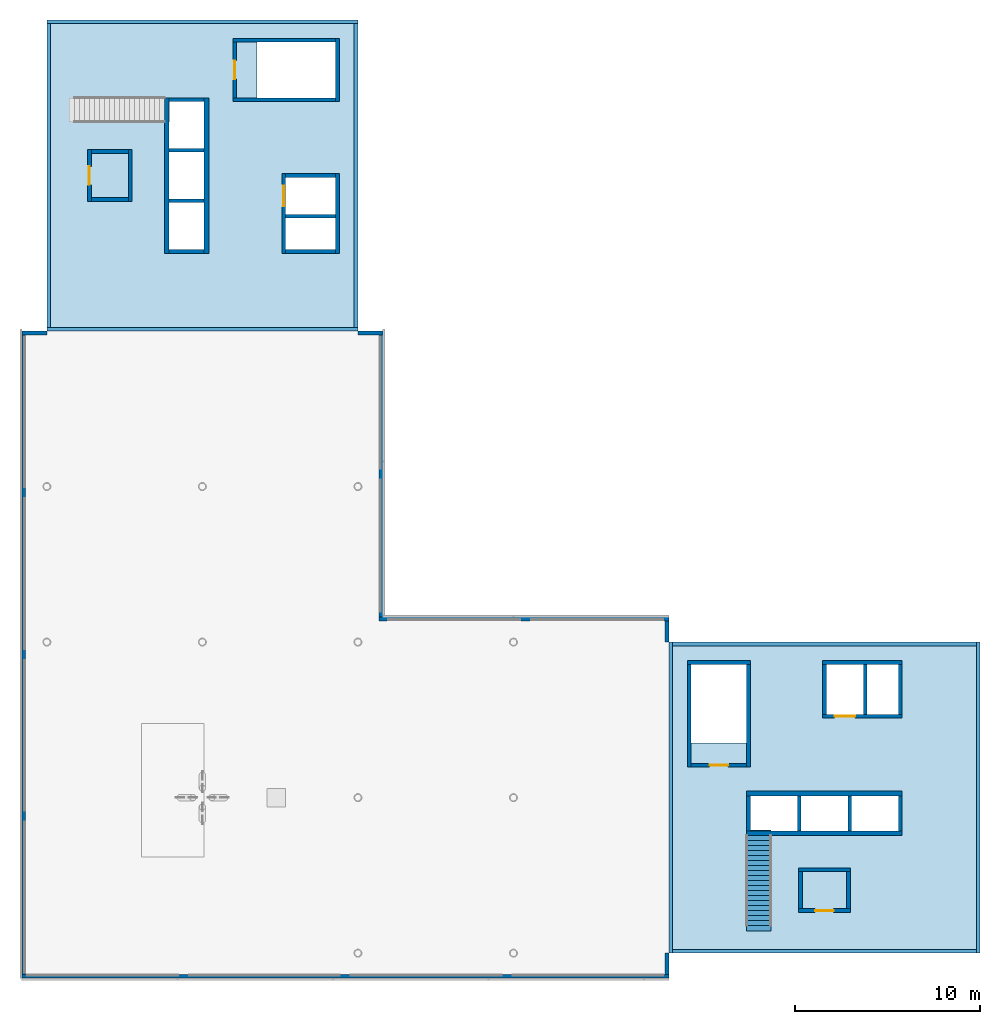
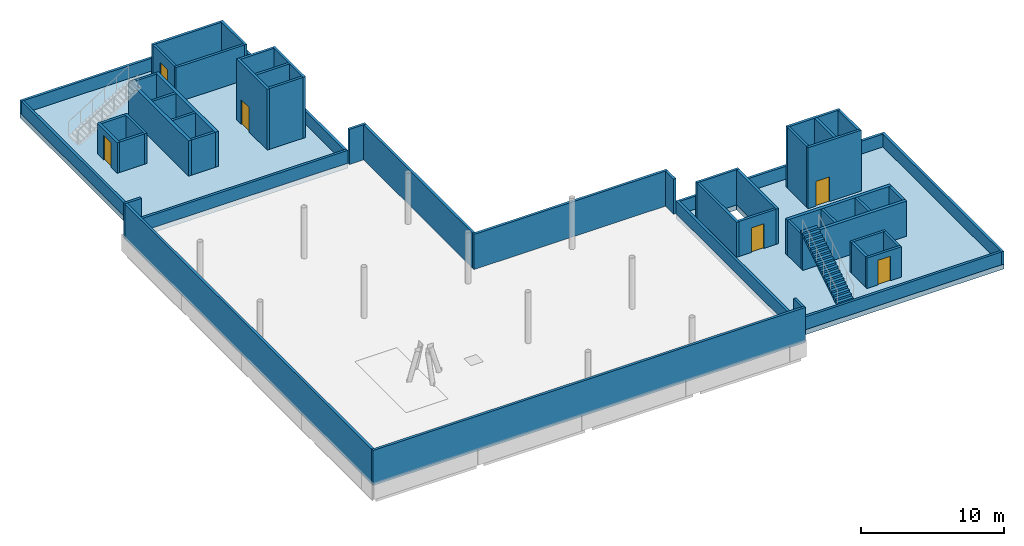
# One storey, part 2 of 4: 54 walls, 6 doors, 2 slabs, 1 stair flight, 6 openings, 1 element without a shape of its own.
"""IFC4 building model written with IfcOpenShell, lengths in metres."""

from ifc_helpers import new_model, si_unit, direction, frame, frame_2d, origin, place, context, subcontext, project, spatial, polyline, rectangle, outline, extrude, material, layer, layer_set, type_object, element, fill, aggregate, save


model = new_model("IFC4")

# Units and contexts
model_context = context("Model", 3, precision=1e-05, world=origin(), true_north=direction((0.0, 1.0)))
body_context = subcontext(model_context, "Body", "Model", "MODEL_VIEW")
ifc_project = project(units=[si_unit("LENGTHUNIT", "METRE"), si_unit("AREAUNIT", "SQUARE_METRE"), si_unit("VOLUMEUNIT", "CUBIC_METRE"), si_unit("PLANEANGLEUNIT", "RADIAN"), si_unit("MASSUNIT", "GRAM", prefix="KILO")], contexts=[model_context])

# Site, building, storey
site_placement = place(None, origin())
site = spatial("IfcSite", under=ifc_project, at=site_placement, CompositionType="ELEMENT")
building_placement = place(site_placement, origin())
building = spatial("IfcBuilding", under=site, at=building_placement, Name="Vermilion Gate Residences", CompositionType="ELEMENT")
storey_placement = place(building_placement, frame((0.0, 0.0, 284.199951171875)))
storey = spatial("IfcBuildingStorey", under=building, at=storey_placement, Name="ROOF", CompositionType="ELEMENT", Elevation=284.199951171875)

# Slabs
ifc_material_1 = material(Name="Concrete C50", Category="concrete")
ifc_layer_1 = layer(ifc_material_1, 0.419921875)
ifc_layer_set_1 = layer_set([ifc_layer_1], Name="RC UPPER ROOF SLAB 420 C50")
slab_type = type_object("IfcSlabType", Name="RC UPPER ROOF SLAB 420 C50", PredefinedType="ROOF", material=ifc_layer_set_1)
slab_1_placement = place(storey_placement, frame((0.0, 0.0, -0.419921875)))
element("IfcSlab", 1, at=slab_1_placement, inside=storey, type_object=slab_type, Name="Core roof slab A", PredefinedType="ROOF", context=body_context, shape_type="SweptSolid", body=[
    extrude(outline(polyline([(42.0, 8.39990234375), (58.800048828125, 8.39990234375), (58.800048828125, 25.199951171875), (42.0, 25.199951171875), (42.0, 8.39990234375)]), holes=[polyline([(46.39990234375, 15.0), (46.39990234375, 16.89990234375), (48.933349609375, 16.89990234375), (48.933349609375, 15.0), (46.39990234375, 15.0)]), polyline([(49.13330078125, 16.89990234375), (51.666748046875, 16.89990234375), (51.666748046875, 15.0), (49.13330078125, 15.0), (49.13330078125, 16.89990234375)]), polyline([(51.86669921875, 16.89990234375), (54.39990234375, 16.89990234375), (54.39990234375, 15.0), (51.86669921875, 15.0), (51.86669921875, 16.89990234375)]), polyline([(43.199951171875, 19.75), (43.199951171875, 24.0), (46.199951171875, 24.0), (46.199951171875, 19.75), (43.199951171875, 19.75)]), polyline([(50.5, 24.0), (52.5, 24.0), (52.5, 21.300048828125), (50.5, 21.300048828125), (50.5, 24.0)]), polyline([(52.699951171875, 24.0), (54.39990234375, 24.0), (54.39990234375, 21.300048828125), (52.699951171875, 21.300048828125), (52.699951171875, 24.0)])]), origin(), (0.0, 0.0, 1.0), 0.419921875),
])
slab_2_placement = place(storey_placement, frame((0.0, 0.0, -0.419921875)))
element("IfcSlab", 2, at=slab_2_placement, inside=storey, type_object=slab_type, Name="Core roof slab B", PredefinedType="ROOF", context=body_context, shape_type="SweptSolid", body=[
    extrude(outline(polyline([(8.39990234375, 42.0), (25.199951171875, 42.0), (25.199951171875, 58.800048828125), (8.39990234375, 58.800048828125), (8.39990234375, 42.0)]), holes=[polyline([(21.300048828125, 46.39990234375), (21.300048828125, 48.10009765625), (24.0, 48.10009765625), (24.0, 46.39990234375), (21.300048828125, 46.39990234375)]), polyline([(15.0, 48.933349609375), (16.89990234375, 48.933349609375), (16.89990234375, 46.39990234375), (15.0, 46.39990234375), (15.0, 48.933349609375)]), polyline([(21.300048828125, 50.300048828125), (24.0, 50.300048828125), (24.0, 48.300048828125), (21.300048828125, 48.300048828125), (21.300048828125, 50.300048828125)]), polyline([(15.0, 49.13330078125), (15.0, 51.666748046875), (16.89990234375, 51.666748046875), (16.89990234375, 49.13330078125), (15.0, 49.13330078125)]), polyline([(15.0, 54.39990234375), (16.89990234375, 54.39990234375), (16.89990234375, 51.86669921875), (15.0, 51.86669921875), (15.0, 54.39990234375)]), polyline([(19.75, 57.60009765625), (24.0, 57.60009765625), (24.0, 54.60009765625), (19.75, 54.60009765625), (19.75, 57.60009765625)])]), origin(), (0.0, 0.0, 1.0), 0.419921875),
])

# Walls
ifc_material_2 = material(Name="Concrete C60 red-oxide pigmented", Category="concrete")
ifc_layer_2 = layer(ifc_material_2, 0.199951171875)
ifc_layer_set_2 = layer_set([ifc_layer_2], Name="RC CORE INTERNAL WALL 200 C60 RED OXIDE")
wall_type_1 = type_object("IfcWallType", Name="RC CORE INTERNAL WALL 200 C60 RED OXIDE", PredefinedType="SHEAR", material=ifc_layer_set_2)
for number, where, z_axis, x_axis, name in (
    (3, (46.300048828125, 15.0, 0.0), (0.0, 0.0, 1.0), (0.0, 1.0, 0.0), "Lift overrun wall A-HR-DW"),
    (4, (49.033447265625, 15.0, 0.0), (0.0, 0.0, 1.0), (0.0, 1.0, 0.0), "Lift overrun wall A-HR-D1"),
    (5, (51.7666015625, 15.0, 0.0), (0.0, 0.0, 1.0), (0.0, 1.0, 0.0), "Lift overrun wall A-HR-D2"),
    (6, (54.5, 15.0, 0.0), (0.0, 0.0, 1.0), (0.0, 1.0, 0.0), "Lift overrun wall A-HR-DE"),
):
    element("IfcWall", number, at=place(storey_placement, frame(where, z_axis=z_axis, x_axis=x_axis)), inside=storey, type_object=wall_type_1, Name=name, PredefinedType="SHEAR", context=body_context, shape_type="SweptSolid", body=[
        extrude(rectangle(XDim=1.89990234375, YDim=0.199951171875, at=frame_2d((0.949951171875, 0.0))), origin(), (0.0, 0.0, 1.0), 3.0),
    ])

# Wall, opening, door
wall_1_placement = place(storey_placement, frame((50.300048828125, 21.199951171875, 0.0), z_axis=(0.0, 0.0, 1.0), x_axis=(1.0, 0.0, 0.0)))
wall_1 = element("IfcWall", 7, at=wall_1_placement, inside=storey, type_object=wall_type_1, Name="Lift overrun wall A-FF-F", PredefinedType="SHEAR", context=body_context, shape_type="SweptSolid", body=[
    extrude(rectangle(XDim=4.300048828125, YDim=0.199951171875, at=frame_2d((2.14990234375, 0.0))), origin(), (0.0, 0.0, 1.0), 5.199951171875),
])
opening_1_placement = place(wall_1_placement, frame((0.64990234375, 0.0, 0.0)))
opening_1 = element("IfcOpeningElement", 8, at=opening_1_placement, cuts=wall_1, Name="Opening LD", PredefinedType="OPENING", context=body_context, shape_type="SweptSolid", body=[
    extrude(rectangle(XDim=1.10009765625, YDim=2.10009765625, at=frame_2d((0.550048828125, 1.050048828125))), frame((0.0, 0.10986328125, 0.0), z_axis=(0.0, -1.0, 0.0), x_axis=(1.0, 0.0, 0.0)), (0.0, 0.0, 1.0), 0.219970703125),
])
ifc_material_3 = material(Name="Stainless steel", Category="steel")
door_type_1 = type_object("IfcDoorType", Name="LIFT LANDING DOOR E60 1100 X 2100", OperationType="DOUBLE_DOOR_SLIDING", PredefinedType="DOOR", material=ifc_material_3)
door_1_placement = place(opening_1_placement, origin())
door_1 = element("IfcDoor", 9, at=door_1_placement, inside=storey, type_object=door_type_1, Name="Lift landing door LFA1", OperationType="DOUBLE_DOOR_SLIDING", OverallHeight=2.10009765625, OverallWidth=1.10009765625, PredefinedType="DOOR", context=body_context, shape_type="SweptSolid", body=[
    extrude(rectangle(XDim=1.10009765625, YDim=2.10009765625, at=frame_2d((0.550048828125, 1.050048828125))), frame((0.0, 0.02490234375, 0.0), z_axis=(0.0, -1.0, 0.0), x_axis=(1.0, 0.0, 0.0)), (0.0, 0.0, 1.0), 0.050048828125),
])
fill(opening_1, door_1)

# Walls
wall_2_placement = place(storey_placement, frame((50.300048828125, 24.10009765625, 0.0), z_axis=(0.0, 0.0, 1.0), x_axis=(1.0, 0.0, 0.0)))
element("IfcWall", 10, at=wall_2_placement, inside=storey, type_object=wall_type_1, Name="Lift overrun wall A-FF-B", PredefinedType="SHEAR", context=body_context, shape_type="SweptSolid", body=[
    extrude(rectangle(XDim=4.300048828125, YDim=0.199951171875, at=frame_2d((2.14990234375, 0.0))), origin(), (0.0, 0.0, 1.0), 5.199951171875),
])
for number, where, z_axis, x_axis, name in (
    (11, (50.39990234375, 21.300048828125, 0.0), (0.0, 0.0, 1.0), (0.0, 1.0, 0.0), "Lift overrun wall A-FF-D0"),
    (12, (52.60009765625, 21.300048828125, 0.0), (0.0, 0.0, 1.0), (0.0, 1.0, 0.0), "Lift overrun wall A-FF-D1"),
    (13, (54.5, 21.300048828125, 0.0), (0.0, 0.0, 1.0), (0.0, 1.0, 0.0), "Lift overrun wall A-FF-DE"),
):
    element("IfcWall", number, at=place(storey_placement, frame(where, z_axis=z_axis, x_axis=x_axis)), inside=storey, type_object=wall_type_1, Name=name, PredefinedType="SHEAR", context=body_context, shape_type="SweptSolid", body=[
        extrude(rectangle(XDim=2.699951171875, YDim=0.199951171875, at=frame_2d((1.35009765625, 0.0))), origin(), (0.0, 0.0, 1.0), 5.199951171875),
    ])
wall_3_placement = place(storey_placement, frame((43.10009765625, 18.449951171875, 0.0), z_axis=(0.0, 0.0, 1.0), x_axis=(0.0, 1.0, 0.0)))
element("IfcWall", 14, at=wall_3_placement, inside=storey, type_object=wall_type_1, Name="Lift overrun wall A-HH-W", PredefinedType="SHEAR", context=body_context, shape_type="SweptSolid", body=[
    extrude(rectangle(XDim=5.550048828125, YDim=0.199951171875, at=frame_2d((2.77490234375, 0.0))), origin(), (0.0, 0.0, 1.0), 3.0),
])
wall_4_placement = place(storey_placement, frame((43.0, 24.10009765625, 0.0), z_axis=(0.0, 0.0, 1.0), x_axis=(1.0, 0.0, 0.0)))
element("IfcWall", 15, at=wall_4_placement, inside=storey, type_object=wall_type_1, Name="Lift overrun wall A-HH-N", PredefinedType="SHEAR", context=body_context, shape_type="SweptSolid", body=[
    extrude(rectangle(XDim=3.39990234375, YDim=0.199951171875, at=frame_2d((1.699951171875, 0.0))), origin(), (0.0, 0.0, 1.0), 3.0),
])
wall_5_placement = place(storey_placement, frame((46.300048828125, 18.449951171875, 0.0), z_axis=(0.0, 0.0, 1.0), x_axis=(0.0, 1.0, 0.0)))
element("IfcWall", 16, at=wall_5_placement, inside=storey, type_object=wall_type_1, Name="Lift overrun wall A-HH-E", PredefinedType="SHEAR", context=body_context, shape_type="SweptSolid", body=[
    extrude(rectangle(XDim=5.550048828125, YDim=0.199951171875, at=frame_2d((2.77490234375, 0.0))), origin(), (0.0, 0.0, 1.0), 3.0),
])

# Wall, opening, door
wall_6_placement = place(storey_placement, frame((43.199951171875, 18.550048828125, 0.0), z_axis=(0.0, 0.0, 1.0), x_axis=(1.0, 0.0, 0.0)))
wall_6 = element("IfcWall", 17, at=wall_6_placement, inside=storey, type_object=wall_type_1, Name="Lift overrun wall A-HH-S", PredefinedType="SHEAR", context=body_context, shape_type="SweptSolid", body=[
    extrude(rectangle(XDim=3.0, YDim=0.199951171875, at=frame_2d((1.5, 0.0))), origin(), (0.0, 0.0, 1.0), 3.0),
])
opening_2_placement = place(wall_6_placement, frame((1.0, 0.0, 0.0)))
opening_2 = element("IfcOpeningElement", 18, at=opening_2_placement, cuts=wall_6, Name="Opening DKRF001", PredefinedType="OPENING", context=body_context, shape_type="SweptSolid", body=[
    extrude(rectangle(XDim=1.0, YDim=2.10009765625, at=frame_2d((0.5, 1.050048828125))), frame((0.0, 0.10986328125, 0.0), z_axis=(0.0, -1.0, 0.0), x_axis=(1.0, 0.0, 0.0)), (0.0, 0.0, 1.0), 0.219970703125),
])
ifc_material_4 = material(Name="Steel", Category="steel")
door_type_2 = type_object("IfcDoorType", Name="FIRE DOOR FD60 1000 X 2100", OperationType="SINGLE_SWING_LEFT", PredefinedType="DOOR", material=ifc_material_4)
door_2_placement = place(opening_2_placement, origin())
door_2 = element("IfcDoor", 19, at=door_2_placement, inside=storey, type_object=door_type_2, Name="Roof access door A", OperationType="SINGLE_SWING_RIGHT", OverallHeight=2.10009765625, OverallWidth=1.0, PredefinedType="DOOR", context=body_context, shape_type="SweptSolid", body=[
    extrude(rectangle(XDim=1.0, YDim=2.10009765625, at=frame_2d((0.5, 1.050048828125))), frame((0.0, 0.02490234375, 0.0), z_axis=(0.0, -1.0, 0.0), x_axis=(1.0, 0.0, 0.0)), (0.0, 0.0, 1.0), 0.050048828125),
])
fill(opening_2, door_2)

wall_7_placement = place(storey_placement, frame((49.0, 10.699951171875, 0.0), z_axis=(0.0, 0.0, 1.0), x_axis=(1.0, 0.0, 0.0)))
wall_7 = element("IfcWall", 20, at=wall_7_placement, inside=storey, type_object=wall_type_1, Name="Lift overrun wall A-RE-S", PredefinedType="SHEAR", context=body_context, shape_type="SweptSolid", body=[
    extrude(rectangle(XDim=2.800048828125, YDim=0.199951171875, at=frame_2d((1.39990234375, 0.0))), origin(), (0.0, 0.0, 1.0), 2.60009765625),
])
opening_3_placement = place(wall_7_placement, frame((0.89990234375, 0.0, 0.0)))
opening_3 = element("IfcOpeningElement", 21, at=opening_3_placement, cuts=wall_7, Name="Opening DKRF002", PredefinedType="OPENING", context=body_context, shape_type="SweptSolid", body=[
    extrude(rectangle(XDim=1.0, YDim=2.10009765625, at=frame_2d((0.5, 1.050048828125))), frame((0.0, 0.10986328125, 0.0), z_axis=(0.0, -1.0, 0.0), x_axis=(1.0, 0.0, 0.0)), (0.0, 0.0, 1.0), 0.219970703125),
])
door_3_placement = place(opening_3_placement, origin())
door_3 = element("IfcDoor", 22, at=door_3_placement, inside=storey, type_object=door_type_2, Name="Roof equipment store door A", OperationType="SINGLE_SWING_LEFT", OverallHeight=2.10009765625, OverallWidth=1.0, PredefinedType="DOOR", context=body_context, shape_type="SweptSolid", body=[
    extrude(rectangle(XDim=1.0, YDim=2.10009765625, at=frame_2d((0.5, 1.050048828125))), frame((0.0, 0.02490234375, 0.0), z_axis=(0.0, -1.0, 0.0), x_axis=(1.0, 0.0, 0.0)), (0.0, 0.0, 1.0), 0.050048828125),
])
fill(opening_3, door_3)

# Walls
wall_8_placement = place(storey_placement, frame((49.0, 12.89990234375, 0.0), z_axis=(0.0, 0.0, 1.0), x_axis=(1.0, 0.0, 0.0)))
element("IfcWall", 23, at=wall_8_placement, inside=storey, type_object=wall_type_1, Name="Lift overrun wall A-RE-N", PredefinedType="SHEAR", context=body_context, shape_type="SweptSolid", body=[
    extrude(rectangle(XDim=2.800048828125, YDim=0.199951171875, at=frame_2d((1.39990234375, 0.0))), origin(), (0.0, 0.0, 1.0), 2.60009765625),
])
for number, where, z_axis, x_axis, name in (
    (24, (49.10009765625, 10.800048828125, 0.0), (0.0, 0.0, 1.0), (0.0, 1.0, 0.0), "Lift overrun wall A-RE-W"),
    (25, (51.699951171875, 10.800048828125, 0.0), (0.0, 0.0, 1.0), (0.0, 1.0, 0.0), "Lift overrun wall A-RE-E"),
):
    element("IfcWall", number, at=place(storey_placement, frame(where, z_axis=z_axis, x_axis=x_axis)), inside=storey, type_object=wall_type_1, Name=name, PredefinedType="SHEAR", context=body_context, shape_type="SweptSolid", body=[
        extrude(rectangle(XDim=2.0, YDim=0.199951171875, at=frame_2d((1.0, 0.0))), origin(), (0.0, 0.0, 1.0), 2.60009765625),
    ])
for number, where, z_axis, x_axis, name in (
    (26, (15.0, 54.5, 0.0), (0.0, 0.0, 1.0), (1.0, 0.0, 0.0), "Lift overrun wall B-HR-DW"),
    (27, (15.0, 51.7666015625, 0.0), (0.0, 0.0, 1.0), (1.0, 0.0, 0.0), "Lift overrun wall B-HR-D1"),
    (28, (15.0, 49.033447265625, 0.0), (0.0, 0.0, 1.0), (1.0, 0.0, 0.0), "Lift overrun wall B-HR-D2"),
    (29, (15.0, 46.300048828125, 0.0), (0.0, 0.0, 1.0), (1.0, 0.0, 0.0), "Lift overrun wall B-HR-DE"),
):
    element("IfcWall", number, at=place(storey_placement, frame(where, z_axis=z_axis, x_axis=x_axis)), inside=storey, type_object=wall_type_1, Name=name, PredefinedType="SHEAR", context=body_context, shape_type="SweptSolid", body=[
        extrude(rectangle(XDim=1.89990234375, YDim=0.199951171875, at=frame_2d((0.949951171875, 0.0))), origin(), (0.0, 0.0, 1.0), 3.0),
    ])

# Wall, opening, door
wall_9_placement = place(storey_placement, frame((21.199951171875, 50.5, 0.0), z_axis=(0.0, 0.0, 1.0), x_axis=(0.0, -1.0, 0.0)))
wall_9 = element("IfcWall", 30, at=wall_9_placement, inside=storey, type_object=wall_type_1, Name="Lift overrun wall B-FF-F", PredefinedType="SHEAR", context=body_context, shape_type="SweptSolid", body=[
    extrude(rectangle(XDim=4.300048828125, YDim=0.199951171875, at=frame_2d((2.14990234375, 0.0))), origin(), (0.0, 0.0, 1.0), 5.199951171875),
])
opening_4_placement = place(wall_9_placement, frame((0.64990234375, 0.0, 0.0)))
opening_4 = element("IfcOpeningElement", 31, at=opening_4_placement, cuts=wall_9, Name="Opening LD", PredefinedType="OPENING", context=body_context, shape_type="SweptSolid", body=[
    extrude(rectangle(XDim=1.10009765625, YDim=2.10009765625, at=frame_2d((0.550048828125, 1.050048828125))), frame((0.0, 0.10986328125, 0.0), z_axis=(0.0, -1.0, 0.0), x_axis=(1.0, 0.0, 0.0)), (0.0, 0.0, 1.0), 0.219970703125),
])
door_4_placement = place(opening_4_placement, origin())
door_4 = element("IfcDoor", 32, at=door_4_placement, inside=storey, type_object=door_type_1, Name="Lift landing door LFB1", OperationType="DOUBLE_DOOR_SLIDING", OverallHeight=2.10009765625, OverallWidth=1.10009765625, PredefinedType="DOOR", context=body_context, shape_type="SweptSolid", body=[
    extrude(rectangle(XDim=1.10009765625, YDim=2.10009765625, at=frame_2d((0.550048828125, 1.050048828125))), frame((0.0, 0.02490234375, 0.0), z_axis=(0.0, -1.0, 0.0), x_axis=(1.0, 0.0, 0.0)), (0.0, 0.0, 1.0), 0.050048828125),
])
fill(opening_4, door_4)

# Walls
wall_10_placement = place(storey_placement, frame((24.10009765625, 50.5, 0.0), z_axis=(0.0, 0.0, 1.0), x_axis=(0.0, -1.0, 0.0)))
element("IfcWall", 33, at=wall_10_placement, inside=storey, type_object=wall_type_1, Name="Lift overrun wall B-FF-B", PredefinedType="SHEAR", context=body_context, shape_type="SweptSolid", body=[
    extrude(rectangle(XDim=4.300048828125, YDim=0.199951171875, at=frame_2d((2.14990234375, 0.0))), origin(), (0.0, 0.0, 1.0), 5.199951171875),
])
for number, where, z_axis, x_axis, name in (
    (34, (21.300048828125, 50.39990234375, 0.0), (0.0, 0.0, 1.0), (1.0, 0.0, 0.0), "Lift overrun wall B-FF-D0"),
    (35, (21.300048828125, 48.199951171875, 0.0), (0.0, 0.0, 1.0), (1.0, 0.0, 0.0), "Lift overrun wall B-FF-D1"),
    (36, (21.300048828125, 46.300048828125, 0.0), (0.0, 0.0, 1.0), (1.0, 0.0, 0.0), "Lift overrun wall B-FF-DE"),
):
    element("IfcWall", number, at=place(storey_placement, frame(where, z_axis=z_axis, x_axis=x_axis)), inside=storey, type_object=wall_type_1, Name=name, PredefinedType="SHEAR", context=body_context, shape_type="SweptSolid", body=[
        extrude(rectangle(XDim=2.699951171875, YDim=0.199951171875, at=frame_2d((1.35009765625, 0.0))), origin(), (0.0, 0.0, 1.0), 5.199951171875),
    ])
wall_11_placement = place(storey_placement, frame((18.449951171875, 57.699951171875, 0.0), z_axis=(0.0, 0.0, 1.0), x_axis=(1.0, 0.0, 0.0)))
element("IfcWall", 37, at=wall_11_placement, inside=storey, type_object=wall_type_1, Name="Lift overrun wall B-HH-W", PredefinedType="SHEAR", context=body_context, shape_type="SweptSolid", body=[
    extrude(rectangle(XDim=5.550048828125, YDim=0.199951171875, at=frame_2d((2.77490234375, 0.0))), origin(), (0.0, 0.0, 1.0), 3.0),
])
wall_12_placement = place(storey_placement, frame((24.10009765625, 57.800048828125, 0.0), z_axis=(0.0, 0.0, 1.0), x_axis=(0.0, -1.0, 0.0)))
element("IfcWall", 38, at=wall_12_placement, inside=storey, type_object=wall_type_1, Name="Lift overrun wall B-HH-N", PredefinedType="SHEAR", context=body_context, shape_type="SweptSolid", body=[
    extrude(rectangle(XDim=3.400146484375, YDim=0.199951171875, at=frame_2d((1.7001953125, 0.0))), origin(), (0.0, 0.0, 1.0), 3.0),
])
wall_13_placement = place(storey_placement, frame((18.449951171875, 54.5, 0.0), z_axis=(0.0, 0.0, 1.0), x_axis=(1.0, 0.0, 0.0)))
element("IfcWall", 39, at=wall_13_placement, inside=storey, type_object=wall_type_1, Name="Lift overrun wall B-HH-E", PredefinedType="SHEAR", context=body_context, shape_type="SweptSolid", body=[
    extrude(rectangle(XDim=5.550048828125, YDim=0.199951171875, at=frame_2d((2.77490234375, 0.0))), origin(), (0.0, 0.0, 1.0), 3.0),
])

# Wall, opening, door
wall_14_placement = place(storey_placement, frame((18.550048828125, 57.60009765625, 0.0), z_axis=(0.0, 0.0, 1.0), x_axis=(0.0, -1.0, 0.0)))
wall_14 = element("IfcWall", 40, at=wall_14_placement, inside=storey, type_object=wall_type_1, Name="Lift overrun wall B-HH-S", PredefinedType="SHEAR", context=body_context, shape_type="SweptSolid", body=[
    extrude(rectangle(XDim=3.0, YDim=0.199951171875, at=frame_2d((1.5, 0.0))), origin(), (0.0, 0.0, 1.0), 3.0),
])
opening_5_placement = place(wall_14_placement, frame((1.0, 0.0, 0.0)))
opening_5 = element("IfcOpeningElement", 41, at=opening_5_placement, cuts=wall_14, Name="Opening DKRF100", PredefinedType="OPENING", context=body_context, shape_type="SweptSolid", body=[
    extrude(rectangle(XDim=1.0, YDim=2.10009765625, at=frame_2d((0.5, 1.050048828125))), frame((0.0, 0.10986328125, 0.0), z_axis=(0.0, -1.0, 0.0), x_axis=(1.0, 0.0, 0.0)), (0.0, 0.0, 1.0), 0.219970703125),
])
door_5_placement = place(opening_5_placement, origin())
door_5 = element("IfcDoor", 42, at=door_5_placement, inside=storey, type_object=door_type_2, Name="Roof access door B", OperationType="SINGLE_SWING_LEFT", OverallHeight=2.10009765625, OverallWidth=1.0, PredefinedType="DOOR", context=body_context, shape_type="SweptSolid", body=[
    extrude(rectangle(XDim=1.0, YDim=2.10009765625, at=frame_2d((0.5, 1.050048828125))), frame((0.0, 0.02490234375, 0.0), z_axis=(0.0, -1.0, 0.0), x_axis=(1.0, 0.0, 0.0)), (0.0, 0.0, 1.0), 0.050048828125),
])
fill(opening_5, door_5)

wall_15_placement = place(storey_placement, frame((10.699951171875, 51.800048828125, 0.0), z_axis=(0.0, 0.0, 1.0), x_axis=(0.0, -1.0, 0.0)))
wall_15 = element("IfcWall", 43, at=wall_15_placement, inside=storey, type_object=wall_type_1, Name="Lift overrun wall B-RE-S", PredefinedType="SHEAR", context=body_context, shape_type="SweptSolid", body=[
    extrude(rectangle(XDim=2.800048828125, YDim=0.199951171875, at=frame_2d((1.39990234375, 0.0))), origin(), (0.0, 0.0, 1.0), 2.60009765625),
])
opening_6_placement = place(wall_15_placement, frame((0.89990234375, 0.0, 0.0)))
opening_6 = element("IfcOpeningElement", 44, at=opening_6_placement, cuts=wall_15, Name="Opening DKRF102", PredefinedType="OPENING", context=body_context, shape_type="SweptSolid", body=[
    extrude(rectangle(XDim=1.0, YDim=2.10009765625, at=frame_2d((0.5, 1.050048828125))), frame((0.0, 0.10986328125, 0.0), z_axis=(0.0, -1.0, 0.0), x_axis=(1.0, 0.0, 0.0)), (0.0, 0.0, 1.0), 0.219970703125),
])
door_6_placement = place(opening_6_placement, origin())
door_6 = element("IfcDoor", 45, at=door_6_placement, inside=storey, type_object=door_type_2, Name="Roof equipment store door B", OperationType="SINGLE_SWING_RIGHT", OverallHeight=2.10009765625, OverallWidth=1.0, PredefinedType="DOOR", context=body_context, shape_type="SweptSolid", body=[
    extrude(rectangle(XDim=1.0, YDim=2.10009765625, at=frame_2d((0.5, 1.050048828125))), frame((0.0, 0.02490234375, 0.0), z_axis=(0.0, -1.0, 0.0), x_axis=(1.0, 0.0, 0.0)), (0.0, 0.0, 1.0), 0.050048828125),
])
fill(opening_6, door_6)

# Walls
wall_16_placement = place(storey_placement, frame((12.89990234375, 51.800048828125, 0.0), z_axis=(0.0, 0.0, 1.0), x_axis=(0.0, -1.0, 0.0)))
element("IfcWall", 46, at=wall_16_placement, inside=storey, type_object=wall_type_1, Name="Lift overrun wall B-RE-N", PredefinedType="SHEAR", context=body_context, shape_type="SweptSolid", body=[
    extrude(rectangle(XDim=2.800048828125, YDim=0.199951171875, at=frame_2d((1.39990234375, 0.0))), origin(), (0.0, 0.0, 1.0), 2.60009765625),
])
for number, where, z_axis, x_axis, name in (
    (47, (10.800048828125, 51.699951171875, 0.0), (0.0, 0.0, 1.0), (1.0, 0.0, 0.0), "Lift overrun wall B-RE-W"),
    (48, (10.800048828125, 49.10009765625, 0.0), (0.0, 0.0, 1.0), (1.0, 0.0, 0.0), "Lift overrun wall B-RE-E"),
):
    element("IfcWall", number, at=place(storey_placement, frame(where, z_axis=z_axis, x_axis=x_axis)), inside=storey, type_object=wall_type_1, Name=name, PredefinedType="SHEAR", context=body_context, shape_type="SweptSolid", body=[
        extrude(rectangle(XDim=2.0, YDim=0.199951171875, at=frame_2d((1.0, 0.0))), origin(), (0.0, 0.0, 1.0), 2.60009765625),
    ])
ifc_material_5 = material(Name="Concrete C60 red-oxide pigmented", Category="concrete")
ifc_layer_3 = layer(ifc_material_5, 0.25)
ifc_layer_set_3 = layer_set([ifc_layer_3], Name="RC LIFT SHAFT WALL 250 C60 RED OXIDE")
wall_type_2 = type_object("IfcWallType", Name="RC LIFT SHAFT WALL 250 C60 RED OXIDE", PredefinedType="SHEAR", material=ifc_layer_set_3)
for number, where, z_axis, x_axis, name in (
    (49, (46.199951171875, 14.875, 0.0), (0.0, 0.0, 1.0), (1.0, 0.0, 0.0), "Lift overrun wall A-HR-F"),
    (50, (46.199951171875, 17.02490234375, 0.0), (0.0, 0.0, 1.0), (1.0, 0.0, 0.0), "Lift overrun wall A-HR-B"),
    (51, (14.875, 54.60009765625, 0.0), (0.0, 0.0, 1.0), (0.0, -1.0, 0.0), "Lift overrun wall B-HR-F"),
    (52, (17.02490234375, 54.60009765625, 0.0), (0.0, 0.0, 1.0), (0.0, -1.0, 0.0), "Lift overrun wall B-HR-B"),
):
    element("IfcWall", number, at=place(storey_placement, frame(where, z_axis=z_axis, x_axis=x_axis)), inside=storey, type_object=wall_type_2, Name=name, PredefinedType="SHEAR", context=body_context, shape_type="SweptSolid", body=[
        extrude(rectangle(XDim=8.400146484375, YDim=0.25, at=frame_2d((4.2001953125, 0.0))), origin(), (0.0, 0.0, 1.0), 3.0),
    ])
ifc_material_6 = material(Name="Concrete C50", Category="concrete")
ifc_layer_4 = layer(ifc_material_6, 0.199951171875)
ifc_layer_set_4 = layer_set([ifc_layer_4], Name="RC PARAPET 200 C50")
wall_type_3 = type_object("IfcWallType", Name="RC PARAPET 200 C50", PredefinedType="PARAPET", material=ifc_layer_set_4)
for number, where, z_axis, x_axis, name in (
    (53, (42.10009765625, 8.39990234375, 0.0), (0.0, 0.0, 1.0), (0.0, 1.0, 0.0), "Core roof parapet A-W"),
    (54, (58.699951171875, 8.39990234375, 0.0), (0.0, 0.0, 1.0), (0.0, 1.0, 0.0), "Core roof parapet A-E"),
):
    element("IfcWall", number, at=place(storey_placement, frame(where, z_axis=z_axis, x_axis=x_axis)), inside=storey, type_object=wall_type_3, Name=name, PredefinedType="PARAPET", context=body_context, shape_type="SweptSolid", body=[
        extrude(rectangle(XDim=16.800048828125, YDim=0.199951171875, at=frame_2d((8.39990234375, 0.0))), origin(), (0.0, 0.0, 1.0), 1.10009765625),
    ])
for number, where, z_axis, x_axis, name in (
    (55, (42.199951171875, 8.5, 0.0), (0.0, 0.0, 1.0), (1.0, 0.0, 0.0), "Core roof parapet A-S"),
    (56, (42.199951171875, 25.10009765625, 0.0), (0.0, 0.0, 1.0), (1.0, 0.0, 0.0), "Core roof parapet A-N"),
):
    element("IfcWall", number, at=place(storey_placement, frame(where, z_axis=z_axis, x_axis=x_axis)), inside=storey, type_object=wall_type_3, Name=name, PredefinedType="PARAPET", context=body_context, shape_type="SweptSolid", body=[
        extrude(rectangle(XDim=16.400146484375, YDim=0.199951171875, at=frame_2d((8.2001953125, 0.0))), origin(), (0.0, 0.0, 1.0), 1.10009765625),
    ])
for number, where, z_axis, x_axis, name in (
    (57, (8.39990234375, 58.699951171875, 0.0), (0.0, 0.0, 1.0), (1.0, 0.0, 0.0), "Core roof parapet B-W"),
    (58, (8.39990234375, 42.10009765625, 0.0), (0.0, 0.0, 1.0), (1.0, 0.0, 0.0), "Core roof parapet B-E"),
):
    element("IfcWall", number, at=place(storey_placement, frame(where, z_axis=z_axis, x_axis=x_axis)), inside=storey, type_object=wall_type_3, Name=name, PredefinedType="PARAPET", context=body_context, shape_type="SweptSolid", body=[
        extrude(rectangle(XDim=16.800048828125, YDim=0.199951171875, at=frame_2d((8.39990234375, 0.0))), origin(), (0.0, 0.0, 1.0), 1.10009765625),
    ])
for number, where, z_axis, x_axis, name in (
    (59, (8.5, 58.60009765625, 0.0), (0.0, 0.0, 1.0), (0.0, -1.0, 0.0), "Core roof parapet B-S"),
    (60, (25.10009765625, 58.60009765625, 0.0), (0.0, 0.0, 1.0), (0.0, -1.0, 0.0), "Core roof parapet B-N"),
):
    element("IfcWall", number, at=place(storey_placement, frame(where, z_axis=z_axis, x_axis=x_axis)), inside=storey, type_object=wall_type_3, Name=name, PredefinedType="PARAPET", context=body_context, shape_type="SweptSolid", body=[
        extrude(rectangle(XDim=16.400146484375, YDim=0.199951171875, at=frame_2d((8.2001953125, 0.0))), origin(), (0.0, 0.0, 1.0), 1.10009765625),
    ])
ifc_material_7 = material(Name="Precast concrete C40/50 terracotta-pigmented", Category="masonry")
ifc_layer_5 = layer(ifc_material_7, 0.199951171875)
ifc_layer_set_5 = layer_set([ifc_layer_5], Name="TERRACOTTA CROWN PARAPET 3000 X 200")
wall_type_4 = type_object("IfcWallType", Name="TERRACOTTA CROWN PARAPET 3000 X 200", PredefinedType="PARAPET", material=ifc_layer_set_5)
wall_17_placement = place(storey_placement, frame((7.14990234375, 41.800048828125, 0.0), z_axis=(0.0, 0.0, 1.0), x_axis=(0.0, -1.0, 0.0)))
element("IfcWall", 61, at=wall_17_placement, inside=storey, type_object=wall_type_4, Name="Parapet, crown", PredefinedType="PARAPET", context=body_context, shape_type="SweptSolid", body=[
    extrude(rectangle(XDim=34.550048828125, YDim=0.199951171875, at=frame_2d((17.27490234375, 0.0))), origin(), (0.0, 0.0, 1.0), 3.0),
])
wall_18_placement = place(storey_placement, frame((7.050048828125, 7.14990234375, 0.0), z_axis=(0.0, 0.0, 1.0), x_axis=(1.0, 0.0, 0.0)))
element("IfcWall", 62, at=wall_18_placement, inside=storey, type_object=wall_type_4, Name="Parapet, crown", PredefinedType="PARAPET", context=body_context, shape_type="SweptSolid", body=[
    extrude(rectangle(XDim=34.949951171875, YDim=0.199951171875, at=frame_2d((17.47509765625, 0.0))), origin(), (0.0, 0.0, 1.0), 3.0),
])
wall_19_placement = place(storey_placement, frame((41.89990234375, 7.25, 0.0), z_axis=(0.0, 0.0, 1.0), x_axis=(0.0, 1.0, 0.0)))
element("IfcWall", 63, at=wall_19_placement, inside=storey, type_object=wall_type_4, Name="Parapet, crown", PredefinedType="PARAPET", context=body_context, shape_type="SweptSolid", body=[
    extrude(rectangle(XDim=1.14990234375, YDim=0.199951171875, at=frame_2d((0.574951171875, 0.0))), origin(), (0.0, 0.0, 1.0), 3.0),
])
wall_20_placement = place(storey_placement, frame((41.89990234375, 25.199951171875, 0.0), z_axis=(0.0, 0.0, 1.0), x_axis=(0.0, 1.0, 0.0)))
element("IfcWall", 64, at=wall_20_placement, inside=storey, type_object=wall_type_4, Name="Parapet, crown", PredefinedType="PARAPET", context=body_context, shape_type="SweptSolid", body=[
    extrude(rectangle(XDim=1.150146484375, YDim=0.199951171875, at=frame_2d((0.5751953125, 0.0))), origin(), (0.0, 0.0, 1.0), 3.0),
])
wall_21_placement = place(storey_placement, frame((42.0, 26.449951171875, 0.0), z_axis=(0.0, 0.0, 1.0), x_axis=(-1.0, 0.0, 0.0)))
element("IfcWall", 65, at=wall_21_placement, inside=storey, type_object=wall_type_4, Name="Parapet, crown", PredefinedType="PARAPET", context=body_context, shape_type="SweptSolid", body=[
    extrude(rectangle(XDim=15.64990234375, YDim=0.199951171875, at=frame_2d((7.824951171875, 0.0))), origin(), (0.0, 0.0, 1.0), 3.0),
])
wall_22_placement = place(storey_placement, frame((26.449951171875, 26.550048828125, 0.0), z_axis=(0.0, 0.0, 1.0), x_axis=(0.0, 1.0, 0.0)))
element("IfcWall", 66, at=wall_22_placement, inside=storey, type_object=wall_type_4, Name="Parapet, crown", PredefinedType="PARAPET", context=body_context, shape_type="SweptSolid", body=[
    extrude(rectangle(XDim=15.25, YDim=0.199951171875, at=frame_2d((7.625, 0.0))), origin(), (0.0, 0.0, 1.0), 3.0),
])
wall_23_placement = place(storey_placement, frame((26.550048828125, 41.89990234375, 0.0), z_axis=(0.0, 0.0, 1.0), x_axis=(-1.0, 0.0, 0.0)))
element("IfcWall", 67, at=wall_23_placement, inside=storey, type_object=wall_type_4, Name="Parapet, crown", PredefinedType="PARAPET", context=body_context, shape_type="SweptSolid", body=[
    extrude(rectangle(XDim=1.35009765625, YDim=0.199951171875, at=frame_2d((0.675048828125, 0.0))), origin(), (0.0, 0.0, 1.0), 3.0),
])
wall_24_placement = place(storey_placement, frame((8.39990234375, 41.89990234375, 0.0), z_axis=(0.0, 0.0, 1.0), x_axis=(-1.0, 0.0, 0.0)))
element("IfcWall", 68, at=wall_24_placement, inside=storey, type_object=wall_type_4, Name="Parapet, crown", PredefinedType="PARAPET", context=body_context, shape_type="SweptSolid", body=[
    extrude(rectangle(XDim=1.349853515625, YDim=0.199951171875, at=frame_2d((0.6748046875, 0.0))), origin(), (0.0, 0.0, 1.0), 3.0),
])

# Stair, stair flight
ifc_material_8 = material(Name="Concrete C50", Category="concrete")
stair_type = type_object("IfcStairType", Name="ROOF ACCESS STAIR 1300", PredefinedType="STRAIGHT_RUN_STAIR", material=ifc_material_8)
stair_placement = place(storey_placement, origin())
stair = element("IfcStair", 69, at=stair_placement, inside=storey, type_object=stair_type, Name="Roof access stair STA3-ROOF", PredefinedType="STRAIGHT_RUN_STAIR")
ifc_material_9 = material(Name="Concrete C50", Category="concrete")
stair_flight_type = type_object("IfcStairFlightType", Name="STAIR FLIGHT 1300 RC C50", PredefinedType="STRAIGHT", material=ifc_material_9)
stair_flight_placement = place(storey_placement, frame((46.85009765625, 9.889892578125, 0.0), z_axis=(0.0, 0.0, 1.0), x_axis=(0.0, 1.0, 0.0)))
stair_flight = element("IfcStairFlight", 70, at=stair_flight_placement, type_object=stair_flight_type, Name="STA3-ROOF flight 1", NumberOfRisers=19, NumberOfTreads=18, PredefinedType="STRAIGHT", RiserHeight=0.171052632, TreadLength=0.27, context=body_context, shape_type="SweptSolid", body=[
    extrude(outline(polyline([(-0.300048828125, -0.14990234375), (-0.300048828125, -0.030029296875), (0.0, 0.0), (0.0, 0.171142578125), (0.27001953125, 0.171142578125), (0.27001953125, 0.342041015625), (0.5400390625, 0.342041015625), (0.5400390625, 0.51318359375), (0.81005859375, 0.51318359375), (0.81005859375, 0.684326171875), (1.080078125, 0.684326171875), (1.080078125, 0.855224609375), (1.35009765625, 0.855224609375), (1.35009765625, 1.0263671875), (1.6201171875, 1.0263671875), (1.6201171875, 1.197265625), (1.889892578125, 1.197265625), (1.889892578125, 1.368408203125), (2.159912109375, 1.368408203125), (2.159912109375, 1.53955078125), (2.429931640625, 1.53955078125), (2.429931640625, 1.71044921875), (2.699951171875, 1.71044921875), (2.699951171875, 1.881591796875), (2.969970703125, 1.881591796875), (2.969970703125, 2.052734375), (3.239990234375, 2.052734375), (3.239990234375, 2.2236328125), (3.510009765625, 2.2236328125), (3.510009765625, 2.394775390625), (3.780029296875, 2.394775390625), (3.780029296875, 2.565673828125), (4.050048828125, 2.565673828125), (4.050048828125, 2.73681640625), (4.320068359375, 2.73681640625), (4.320068359375, 2.907958984375), (4.590087890625, 2.907958984375), (4.590087890625, 3.078857421875), (4.860107421875, 3.078857421875), (4.860107421875, 3.25), (5.159912109375, 3.219970703125), (5.159912109375, 3.10009765625), (4.860107421875, 2.901611328125), (0.280029296875, 0.0), (-0.300048828125, -0.14990234375)])), frame((0.0, 0.64990234375, 0.0), z_axis=(0.0, -1.0, 0.0), x_axis=(1.0, 0.0, 0.0)), (0.0, 0.0, 1.0), 1.300048828125),
])
aggregate(stair, [stair_flight])

save(model, "model.ifc")
